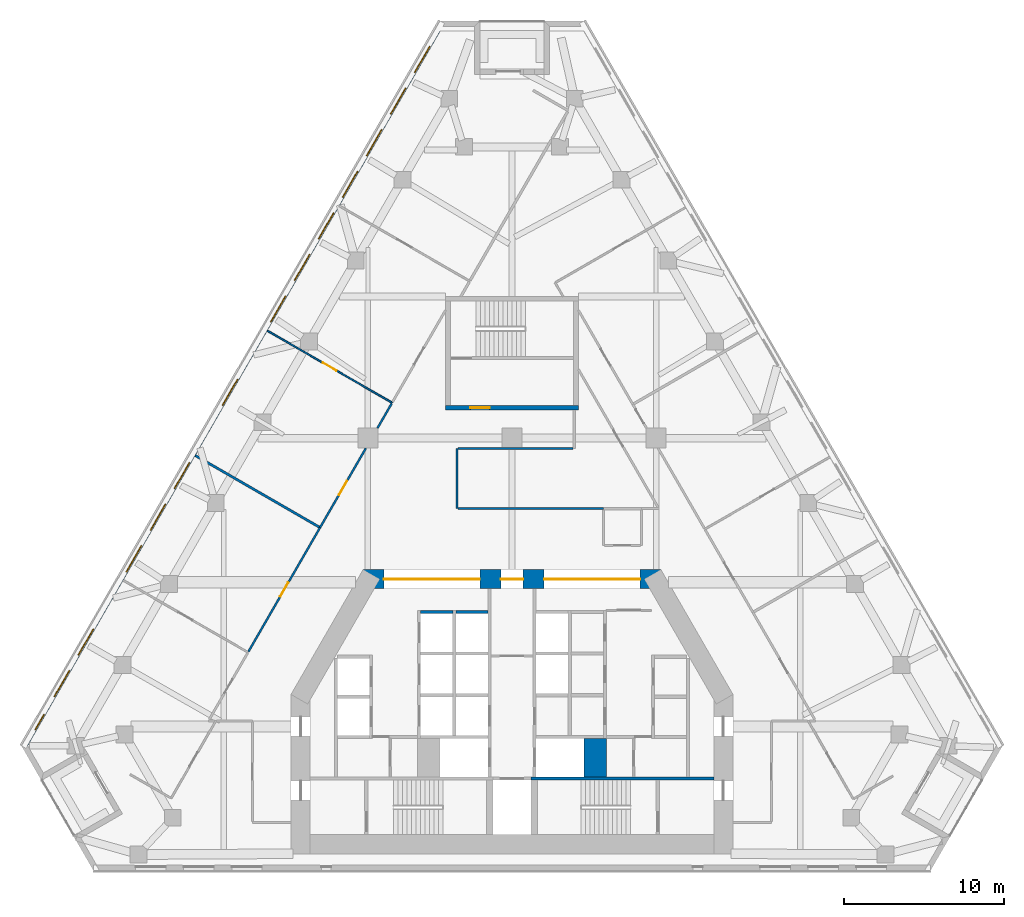
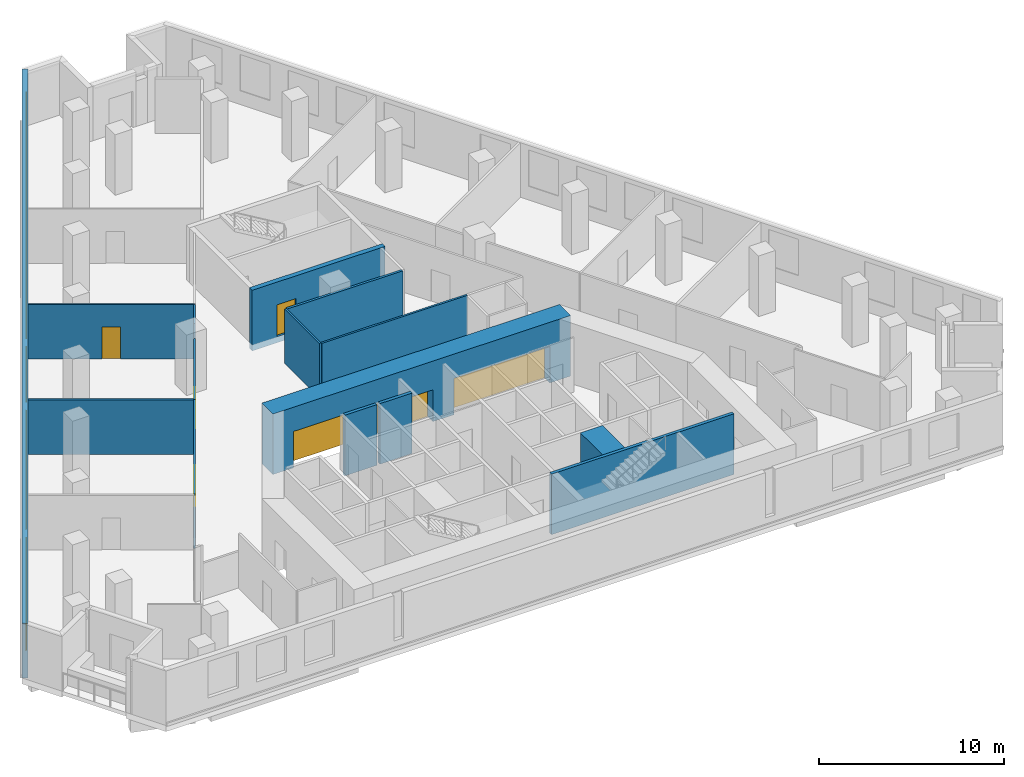
# One storey, part 5 of 9: 15 walls, 14 windows, 7 doors, 21 openings.
"""IFC4 building model written with IfcOpenShell, lengths in metres."""

from ifc_helpers import new_model, si_unit, direction, frame, frame_2d, origin, place, context, subcontext, project, spatial, rectangle, extrude, material, layer, layer_set, type_object, element, fill, save


model = new_model("IFC4")

# Units and contexts
model_context = context("Model", 3, precision=1e-05, world=origin(), true_north=direction((0.0, 1.0)))
body_context = subcontext(model_context, "Body", "Model", "MODEL_VIEW")
ifc_project = project(units=[si_unit("LENGTHUNIT", "METRE"), si_unit("AREAUNIT", "SQUARE_METRE"), si_unit("VOLUMEUNIT", "CUBIC_METRE"), si_unit("PLANEANGLEUNIT", "RADIAN"), si_unit("MASSUNIT", "GRAM", prefix="KILO")], contexts=[model_context])

# Site, building, storey
site_placement = place(None, origin())
site = spatial("IfcSite", under=ifc_project, at=site_placement, CompositionType="ELEMENT")
building_placement = place(site_placement, origin())
building = spatial("IfcBuilding", under=site, at=building_placement, Name="Fogline Exchange Tower", CompositionType="ELEMENT")
storey_placement = place(building_placement, frame((0.0, 0.0, 104.10009765625)))
storey = spatial("IfcBuildingStorey", under=building, at=storey_placement, Name="L22", CompositionType="ELEMENT", Elevation=104.10009765625)

# Walls
ifc_material_1 = material(Name="Concrete C60", Category="concrete")
ifc_layer_1 = layer(ifc_material_1, 1.39990234375)
ifc_layer_set_1 = layer_set([ifc_layer_1], Name="CW140")
wall_type_1 = type_object("IfcWallType", Name="CW140", PredefinedType="SOLIDWALL", material=ifc_layer_set_1)
wall_1_placement = place(storey_placement, frame((5.199951171875, 5.85009765625, -0.400146484375), z_axis=(0.0, 0.0, 1.0), x_axis=(0.0, 1.0, 0.0)))
element("IfcWall", 1, at=wall_1_placement, inside=storey, type_object=wall_type_1, Name="Lift shaft block wall", PredefinedType="SOLIDWALL", context=body_context, shape_type="SweptSolid", body=[
    extrude(rectangle(XDim=2.39990234375, YDim=1.39990234375, at=frame_2d((1.199951171875, 0.0))), origin(), (0.0, 0.0, 1.0), 4.0),
])
ifc_material_2 = material(Name="Concrete C40", Category="concrete")
ifc_layer_2 = layer(ifc_material_2, 0.199951171875)
ifc_layer_set_2 = layer_set([ifc_layer_2], Name="CW20R")
wall_type_2 = type_object("IfcWallType", Name="CW20R", PredefinedType="SOLIDWALL", material=ifc_layer_set_2)
wall_2_placement = place(storey_placement, frame((1.199951171875, 5.75, -0.400146484375), z_axis=(0.0, 0.0, 1.0), x_axis=(1.0, 0.0, 0.0)))
element("IfcWall", 2, at=wall_2_placement, inside=storey, type_object=wall_type_2, Name="Stair enclosure wall", PredefinedType="SOLIDWALL", context=body_context, shape_type="SweptSolid", body=[
    extrude(rectangle(XDim=11.400146484375, YDim=0.199951171875, at=frame_2d((5.7001953125, 0.0))), origin(), (0.0, 0.0, 1.0), 4.0),
])
ifc_layer_3 = layer(ifc_material_2, 0.199951171875)
ifc_layer_set_3 = layer_set([ifc_layer_3], Name="CW20S")
wall_type_3 = type_object("IfcWallType", Name="CW20S", PredefinedType="SOLIDWALL", material=ifc_layer_set_3)
for number, where, z_axis, x_axis, name in (
    (3, (-5.699951171875, 16.14990234375, -0.400146484375), (0.0, 0.0, 1.0), (1.0, 0.0, 0.0), "Lift shaft wall"),
    (4, (-3.5, 16.14990234375, -0.400146484375), (0.0, 0.0, 1.0), (1.0, 0.0, 0.0), "Lift shaft wall"),
):
    element("IfcWall", number, at=place(storey_placement, frame(where, z_axis=z_axis, x_axis=x_axis)), inside=storey, type_object=wall_type_3, Name=name, PredefinedType="SOLIDWALL", context=body_context, shape_type="SweptSolid", body=[
        extrude(rectangle(XDim=2.0, YDim=0.199951171875, at=frame_2d((1.0, 0.0))), origin(), (0.0, 0.0, 1.0), 4.0),
    ])

# Wall, opening, door
ifc_layer_4 = layer(ifc_material_2, 0.300048828125)
ifc_layer_set_4 = layer_set([ifc_layer_4], Name="CW30")
wall_type_4 = type_object("IfcWallType", Name="CW30", PredefinedType="SOLIDWALL", material=ifc_layer_set_4)
wall_3_placement = place(storey_placement, frame((-4.14990234375, 28.906982421875, -0.400146484375), z_axis=(0.0, 0.0, 1.0), x_axis=(1.0, 0.0, 0.0)))
wall_3 = element("IfcWall", 5, at=wall_3_placement, inside=storey, type_object=wall_type_4, Name="Stair enclosure wall ST3", PredefinedType="SOLIDWALL", context=body_context, shape_type="SweptSolid", body=[
    extrude(rectangle(XDim=8.2998046875, YDim=0.300048828125, at=frame_2d((4.14990234375, 0.0))), origin(), (0.0, 0.0, 1.0), 4.0),
])
opening_1_placement = place(wall_3_placement, frame((1.550048828125, 0.0, 0.39990234375)))
opening_1 = element("IfcOpeningElement", 6, at=opening_1_placement, cuts=wall_3, Name="Opening T06-C022", PredefinedType="OPENING", context=body_context, shape_type="SweptSolid", body=[
    extrude(rectangle(XDim=1.199951171875, YDim=2.10009765625, at=frame_2d((0.60009765625, 1.050048828125))), frame((0.0, 0.16015625, 0.0), z_axis=(0.0, -1.0, 0.0), x_axis=(1.0, 0.0, 0.0)), (0.0, 0.0, 1.0), 0.320068359375),
])
ifc_material_3 = material(Name="Steel and timber fire door", Category="steel")
door_type_1 = type_object("IfcDoorType", Name="D-FR1", OperationType="SINGLE_SWING_RIGHT", PredefinedType="DOOR", material=ifc_material_3)
door_1_placement = place(opening_1_placement, origin())
door_1 = element("IfcDoor", 7, at=door_1_placement, inside=storey, type_object=door_type_1, Name="Front room door ST3", OperationType="SINGLE_SWING_LEFT", OverallHeight=2.10009765625, OverallWidth=1.199951171875, PredefinedType="DOOR", context=body_context, shape_type="SweptSolid", body=[
    extrude(rectangle(XDim=1.199951171875, YDim=2.10009765625, at=frame_2d((0.60009765625, 1.050048828125))), frame((0.0, 0.02490234375, 0.0), z_axis=(0.0, -1.0, 0.0), x_axis=(1.0, 0.0, 0.0)), (0.0, 0.0, 1.0), 0.050048828125),
])
fill(opening_1, door_1)

# Wall, openings, windows
ifc_material_4 = material(Name="Brick masonry", Category="masonry")
ifc_layer_5 = layer(ifc_material_4, 0.340087890625)
ifc_layer_set_5 = layer_set([ifc_layer_5], Name="FW1")
wall_type_5 = type_object("IfcWallType", Name="FW1", PredefinedType="SOLIDWALL", material=ifc_layer_set_5)
wall_4_placement = place(storey_placement, frame((-4.352783203125, 52.981689453125, 0.0), z_axis=(0.0, 0.0, 1.0), x_axis=(-0.499998162791, -0.866026464495, 0.0)))
wall_4 = element("IfcWall", 8, at=wall_4_placement, inside=storey, type_object=wall_type_5, Name="Brick wall L22 W", PredefinedType="SOLIDWALL", context=body_context, shape_type="SweptSolid", body=[
    extrude(rectangle(XDim=52.276123046875, YDim=0.340087890625, at=frame_2d((26.13818359375, 0.0))), origin(), (0.0, 0.0, 1.0), 3.599853515625),
])
opening_2_placement = place(wall_4_placement, frame((1.70703125, 0.0, 0.89990234375)))
opening_2 = element("IfcOpeningElement", 9, at=opening_2_placement, cuts=wall_4, Name="Opening W1", PredefinedType="OPENING", context=body_context, shape_type="SweptSolid", body=[
    extrude(rectangle(XDim=1.885009765625, YDim=2.39990234375, at=frame_2d((0.9423828125, 1.199951171875))), frame((0.0, 0.18017578125, 0.0), z_axis=(0.0, -1.0, 0.0), x_axis=(1.0, 0.0, 0.0)), (0.0, 0.0, 1.0), 0.360107421875),
])
opening_3_placement = place(wall_4_placement, frame((4.70703125, 0.0, 0.89990234375)))
opening_3 = element("IfcOpeningElement", 10, at=opening_3_placement, cuts=wall_4, Name="Opening W1", PredefinedType="OPENING", context=body_context, shape_type="SweptSolid", body=[
    extrude(rectangle(XDim=1.885009765625, YDim=2.39990234375, at=frame_2d((0.9423828125, 1.199951171875))), frame((0.0, 0.18017578125, 0.0), z_axis=(0.0, -1.0, 0.0), x_axis=(1.0, 0.0, 0.0)), (0.0, 0.0, 1.0), 0.360107421875),
])
opening_4_placement = place(wall_4_placement, frame((7.70703125, 0.0, 0.89990234375)))
opening_4 = element("IfcOpeningElement", 11, at=opening_4_placement, cuts=wall_4, Name="Opening W1", PredefinedType="OPENING", context=body_context, shape_type="SweptSolid", body=[
    extrude(rectangle(XDim=1.885009765625, YDim=2.39990234375, at=frame_2d((0.9423828125, 1.199951171875))), frame((0.0, 0.18017578125, 0.0), z_axis=(0.0, -1.0, 0.0), x_axis=(1.0, 0.0, 0.0)), (0.0, 0.0, 1.0), 0.360107421875),
])
opening_5_placement = place(wall_4_placement, frame((10.70703125, 0.0, 0.89990234375)))
opening_5 = element("IfcOpeningElement", 12, at=opening_5_placement, cuts=wall_4, Name="Opening W1", PredefinedType="OPENING", context=body_context, shape_type="SweptSolid", body=[
    extrude(rectangle(XDim=1.885009765625, YDim=2.39990234375, at=frame_2d((0.9423828125, 1.199951171875))), frame((0.0, 0.18017578125, 0.0), z_axis=(0.0, -1.0, 0.0), x_axis=(1.0, 0.0, 0.0)), (0.0, 0.0, 1.0), 0.360107421875),
])
opening_6_placement = place(wall_4_placement, frame((13.70703125, 0.0, 0.89990234375)))
opening_6 = element("IfcOpeningElement", 13, at=opening_6_placement, cuts=wall_4, Name="Opening W1", PredefinedType="OPENING", context=body_context, shape_type="SweptSolid", body=[
    extrude(rectangle(XDim=1.885009765625, YDim=2.39990234375, at=frame_2d((0.9423828125, 1.199951171875))), frame((0.0, 0.18017578125, 0.0), z_axis=(0.0, -1.0, 0.0), x_axis=(1.0, 0.0, 0.0)), (0.0, 0.0, 1.0), 0.360107421875),
])
opening_7_placement = place(wall_4_placement, frame((16.70703125, 0.0, 0.89990234375)))
opening_7 = element("IfcOpeningElement", 14, at=opening_7_placement, cuts=wall_4, Name="Opening W1", PredefinedType="OPENING", context=body_context, shape_type="SweptSolid", body=[
    extrude(rectangle(XDim=1.885009765625, YDim=2.39990234375, at=frame_2d((0.9423828125, 1.199951171875))), frame((0.0, 0.18017578125, 0.0), z_axis=(0.0, -1.0, 0.0), x_axis=(1.0, 0.0, 0.0)), (0.0, 0.0, 1.0), 0.360107421875),
])
opening_8_placement = place(wall_4_placement, frame((19.70703125, 0.0, 0.89990234375)))
opening_8 = element("IfcOpeningElement", 15, at=opening_8_placement, cuts=wall_4, Name="Opening W1", PredefinedType="OPENING", context=body_context, shape_type="SweptSolid", body=[
    extrude(rectangle(XDim=1.885009765625, YDim=2.39990234375, at=frame_2d((0.9423828125, 1.199951171875))), frame((0.0, 0.18017578125, 0.0), z_axis=(0.0, -1.0, 0.0), x_axis=(1.0, 0.0, 0.0)), (0.0, 0.0, 1.0), 0.360107421875),
])
opening_9_placement = place(wall_4_placement, frame((25.70703125, 0.0, 0.89990234375)))
opening_9 = element("IfcOpeningElement", 16, at=opening_9_placement, cuts=wall_4, Name="Opening W1", PredefinedType="OPENING", context=body_context, shape_type="SweptSolid", body=[
    extrude(rectangle(XDim=1.885009765625, YDim=2.39990234375, at=frame_2d((0.9423828125, 1.199951171875))), frame((0.0, 0.18017578125, 0.0), z_axis=(0.0, -1.0, 0.0), x_axis=(1.0, 0.0, 0.0)), (0.0, 0.0, 1.0), 0.360107421875),
])
opening_10_placement = place(wall_4_placement, frame((31.70703125, 0.0, 0.89990234375)))
opening_10 = element("IfcOpeningElement", 17, at=opening_10_placement, cuts=wall_4, Name="Opening W1", PredefinedType="OPENING", context=body_context, shape_type="SweptSolid", body=[
    extrude(rectangle(XDim=1.885009765625, YDim=2.39990234375, at=frame_2d((0.9423828125, 1.199951171875))), frame((0.0, 0.18017578125, 0.0), z_axis=(0.0, -1.0, 0.0), x_axis=(1.0, 0.0, 0.0)), (0.0, 0.0, 1.0), 0.360107421875),
])
opening_11_placement = place(wall_4_placement, frame((34.70703125, 0.0, 0.89990234375)))
opening_11 = element("IfcOpeningElement", 18, at=opening_11_placement, cuts=wall_4, Name="Opening W1", PredefinedType="OPENING", context=body_context, shape_type="SweptSolid", body=[
    extrude(rectangle(XDim=1.885009765625, YDim=2.39990234375, at=frame_2d((0.9423828125, 1.199951171875))), frame((0.0, 0.18017578125, 0.0), z_axis=(0.0, -1.0, 0.0), x_axis=(1.0, 0.0, 0.0)), (0.0, 0.0, 1.0), 0.360107421875),
])
opening_12_placement = place(wall_4_placement, frame((37.70703125, 0.0, 0.89990234375)))
opening_12 = element("IfcOpeningElement", 19, at=opening_12_placement, cuts=wall_4, Name="Opening W1", PredefinedType="OPENING", context=body_context, shape_type="SweptSolid", body=[
    extrude(rectangle(XDim=1.885009765625, YDim=2.39990234375, at=frame_2d((0.9423828125, 1.199951171875))), frame((0.0, 0.18017578125, 0.0), z_axis=(0.0, -1.0, 0.0), x_axis=(1.0, 0.0, 0.0)), (0.0, 0.0, 1.0), 0.360107421875),
])
opening_13_placement = place(wall_4_placement, frame((43.70703125, 0.0, 0.89990234375)))
opening_13 = element("IfcOpeningElement", 20, at=opening_13_placement, cuts=wall_4, Name="Opening W1", PredefinedType="OPENING", context=body_context, shape_type="SweptSolid", body=[
    extrude(rectangle(XDim=1.885009765625, YDim=2.39990234375, at=frame_2d((0.9423828125, 1.199951171875))), frame((0.0, 0.18017578125, 0.0), z_axis=(0.0, -1.0, 0.0), x_axis=(1.0, 0.0, 0.0)), (0.0, 0.0, 1.0), 0.360107421875),
])
opening_14_placement = place(wall_4_placement, frame((46.70703125, 0.0, 0.89990234375)))
opening_14 = element("IfcOpeningElement", 21, at=opening_14_placement, cuts=wall_4, Name="Opening W1", PredefinedType="OPENING", context=body_context, shape_type="SweptSolid", body=[
    extrude(rectangle(XDim=1.885009765625, YDim=2.39990234375, at=frame_2d((0.9423828125, 1.199951171875))), frame((0.0, 0.18017578125, 0.0), z_axis=(0.0, -1.0, 0.0), x_axis=(1.0, 0.0, 0.0)), (0.0, 0.0, 1.0), 0.360107421875),
])
opening_15_placement = place(wall_4_placement, frame((49.87646484375, 0.0, 0.89990234375)))
opening_15 = element("IfcOpeningElement", 22, at=opening_15_placement, cuts=wall_4, Name="Opening W4", PredefinedType="OPENING", context=body_context, shape_type="SweptSolid", body=[
    extrude(rectangle(XDim=1.114990234375, YDim=2.39990234375, at=frame_2d((0.5576171875, 1.199951171875))), frame((0.0, 0.18017578125, 0.0), z_axis=(0.0, -1.0, 0.0), x_axis=(1.0, 0.0, 0.0)), (0.0, 0.0, 1.0), 0.360107421875),
])
ifc_material_5 = material(Name="Aluminium and glass", Category="aluminium")
window_type_1 = type_object("IfcWindowType", Name="W1", PartitioningType="SINGLE_PANEL", PredefinedType="WINDOW", material=ifc_material_5)
window_1_placement = place(opening_2_placement, origin())
window_1 = element("IfcWindow", 23, at=window_1_placement, inside=storey, type_object=window_type_1, Name="W1 W1", OverallHeight=2.39990234375, OverallWidth=1.885009765625, PartitioningType="SINGLE_PANEL", PredefinedType="WINDOW", context=body_context, shape_type="SweptSolid", body=[
    extrude(rectangle(XDim=1.885009765625, YDim=2.39990234375, at=frame_2d((0.9423828125, 1.199951171875))), frame((0.0, 0.110107421875, 0.0), z_axis=(0.0, -1.0, 0.0), x_axis=(1.0, 0.0, 0.0)), (0.0, 0.0, 1.0), 0.06005859375),
])
fill(opening_2, window_1)
window_2_placement = place(opening_3_placement, origin())
window_2 = element("IfcWindow", 24, at=window_2_placement, inside=storey, type_object=window_type_1, Name="W1 W1", OverallHeight=2.39990234375, OverallWidth=1.885009765625, PartitioningType="SINGLE_PANEL", PredefinedType="WINDOW", context=body_context, shape_type="SweptSolid", body=[
    extrude(rectangle(XDim=1.885009765625, YDim=2.39990234375, at=frame_2d((0.9423828125, 1.199951171875))), frame((0.0, 0.110107421875, 0.0), z_axis=(0.0, -1.0, 0.0), x_axis=(1.0, 0.0, 0.0)), (0.0, 0.0, 1.0), 0.06005859375),
])
fill(opening_3, window_2)
window_3_placement = place(opening_4_placement, origin())
window_3 = element("IfcWindow", 25, at=window_3_placement, inside=storey, type_object=window_type_1, Name="W1 W1", OverallHeight=2.39990234375, OverallWidth=1.885009765625, PartitioningType="SINGLE_PANEL", PredefinedType="WINDOW", context=body_context, shape_type="SweptSolid", body=[
    extrude(rectangle(XDim=1.885009765625, YDim=2.39990234375, at=frame_2d((0.9423828125, 1.199951171875))), frame((0.0, 0.110107421875, 0.0), z_axis=(0.0, -1.0, 0.0), x_axis=(1.0, 0.0, 0.0)), (0.0, 0.0, 1.0), 0.06005859375),
])
fill(opening_4, window_3)
window_4_placement = place(opening_5_placement, origin())
window_4 = element("IfcWindow", 26, at=window_4_placement, inside=storey, type_object=window_type_1, Name="W1 W1", OverallHeight=2.39990234375, OverallWidth=1.885009765625, PartitioningType="SINGLE_PANEL", PredefinedType="WINDOW", context=body_context, shape_type="SweptSolid", body=[
    extrude(rectangle(XDim=1.885009765625, YDim=2.39990234375, at=frame_2d((0.9423828125, 1.199951171875))), frame((0.0, 0.110107421875, 0.0), z_axis=(0.0, -1.0, 0.0), x_axis=(1.0, 0.0, 0.0)), (0.0, 0.0, 1.0), 0.06005859375),
])
fill(opening_5, window_4)
window_5_placement = place(opening_6_placement, origin())
window_5 = element("IfcWindow", 27, at=window_5_placement, inside=storey, type_object=window_type_1, Name="W1 W1", OverallHeight=2.39990234375, OverallWidth=1.885009765625, PartitioningType="SINGLE_PANEL", PredefinedType="WINDOW", context=body_context, shape_type="SweptSolid", body=[
    extrude(rectangle(XDim=1.885009765625, YDim=2.39990234375, at=frame_2d((0.9423828125, 1.199951171875))), frame((0.0, 0.110107421875, 0.0), z_axis=(0.0, -1.0, 0.0), x_axis=(1.0, 0.0, 0.0)), (0.0, 0.0, 1.0), 0.06005859375),
])
fill(opening_6, window_5)
window_6_placement = place(opening_7_placement, origin())
window_6 = element("IfcWindow", 28, at=window_6_placement, inside=storey, type_object=window_type_1, Name="W1 W1", OverallHeight=2.39990234375, OverallWidth=1.885009765625, PartitioningType="SINGLE_PANEL", PredefinedType="WINDOW", context=body_context, shape_type="SweptSolid", body=[
    extrude(rectangle(XDim=1.885009765625, YDim=2.39990234375, at=frame_2d((0.9423828125, 1.199951171875))), frame((0.0, 0.110107421875, 0.0), z_axis=(0.0, -1.0, 0.0), x_axis=(1.0, 0.0, 0.0)), (0.0, 0.0, 1.0), 0.06005859375),
])
fill(opening_7, window_6)
window_7_placement = place(opening_8_placement, origin())
window_7 = element("IfcWindow", 29, at=window_7_placement, inside=storey, type_object=window_type_1, Name="W1 W1", OverallHeight=2.39990234375, OverallWidth=1.885009765625, PartitioningType="SINGLE_PANEL", PredefinedType="WINDOW", context=body_context, shape_type="SweptSolid", body=[
    extrude(rectangle(XDim=1.885009765625, YDim=2.39990234375, at=frame_2d((0.9423828125, 1.199951171875))), frame((0.0, 0.110107421875, 0.0), z_axis=(0.0, -1.0, 0.0), x_axis=(1.0, 0.0, 0.0)), (0.0, 0.0, 1.0), 0.06005859375),
])
fill(opening_8, window_7)
window_8_placement = place(opening_9_placement, origin())
window_8 = element("IfcWindow", 30, at=window_8_placement, inside=storey, type_object=window_type_1, Name="W1 W1", OverallHeight=2.39990234375, OverallWidth=1.885009765625, PartitioningType="SINGLE_PANEL", PredefinedType="WINDOW", context=body_context, shape_type="SweptSolid", body=[
    extrude(rectangle(XDim=1.885009765625, YDim=2.39990234375, at=frame_2d((0.9423828125, 1.199951171875))), frame((0.0, 0.110107421875, 0.0), z_axis=(0.0, -1.0, 0.0), x_axis=(1.0, 0.0, 0.0)), (0.0, 0.0, 1.0), 0.06005859375),
])
fill(opening_9, window_8)
window_9_placement = place(opening_10_placement, origin())
window_9 = element("IfcWindow", 31, at=window_9_placement, inside=storey, type_object=window_type_1, Name="W1 W1", OverallHeight=2.39990234375, OverallWidth=1.885009765625, PartitioningType="SINGLE_PANEL", PredefinedType="WINDOW", context=body_context, shape_type="SweptSolid", body=[
    extrude(rectangle(XDim=1.885009765625, YDim=2.39990234375, at=frame_2d((0.9423828125, 1.199951171875))), frame((0.0, 0.110107421875, 0.0), z_axis=(0.0, -1.0, 0.0), x_axis=(1.0, 0.0, 0.0)), (0.0, 0.0, 1.0), 0.06005859375),
])
fill(opening_10, window_9)
window_10_placement = place(opening_11_placement, origin())
window_10 = element("IfcWindow", 32, at=window_10_placement, inside=storey, type_object=window_type_1, Name="W1 W1", OverallHeight=2.39990234375, OverallWidth=1.885009765625, PartitioningType="SINGLE_PANEL", PredefinedType="WINDOW", context=body_context, shape_type="SweptSolid", body=[
    extrude(rectangle(XDim=1.885009765625, YDim=2.39990234375, at=frame_2d((0.9423828125, 1.199951171875))), frame((0.0, 0.110107421875, 0.0), z_axis=(0.0, -1.0, 0.0), x_axis=(1.0, 0.0, 0.0)), (0.0, 0.0, 1.0), 0.06005859375),
])
fill(opening_11, window_10)
window_11_placement = place(opening_12_placement, origin())
window_11 = element("IfcWindow", 33, at=window_11_placement, inside=storey, type_object=window_type_1, Name="W1 W1", OverallHeight=2.39990234375, OverallWidth=1.885009765625, PartitioningType="SINGLE_PANEL", PredefinedType="WINDOW", context=body_context, shape_type="SweptSolid", body=[
    extrude(rectangle(XDim=1.885009765625, YDim=2.39990234375, at=frame_2d((0.9423828125, 1.199951171875))), frame((0.0, 0.110107421875, 0.0), z_axis=(0.0, -1.0, 0.0), x_axis=(1.0, 0.0, 0.0)), (0.0, 0.0, 1.0), 0.06005859375),
])
fill(opening_12, window_11)
window_12_placement = place(opening_13_placement, origin())
window_12 = element("IfcWindow", 34, at=window_12_placement, inside=storey, type_object=window_type_1, Name="W1 W1", OverallHeight=2.39990234375, OverallWidth=1.885009765625, PartitioningType="SINGLE_PANEL", PredefinedType="WINDOW", context=body_context, shape_type="SweptSolid", body=[
    extrude(rectangle(XDim=1.885009765625, YDim=2.39990234375, at=frame_2d((0.9423828125, 1.199951171875))), frame((0.0, 0.110107421875, 0.0), z_axis=(0.0, -1.0, 0.0), x_axis=(1.0, 0.0, 0.0)), (0.0, 0.0, 1.0), 0.06005859375),
])
fill(opening_13, window_12)
window_13_placement = place(opening_14_placement, origin())
window_13 = element("IfcWindow", 35, at=window_13_placement, inside=storey, type_object=window_type_1, Name="W1 W1", OverallHeight=2.39990234375, OverallWidth=1.885009765625, PartitioningType="SINGLE_PANEL", PredefinedType="WINDOW", context=body_context, shape_type="SweptSolid", body=[
    extrude(rectangle(XDim=1.885009765625, YDim=2.39990234375, at=frame_2d((0.9423828125, 1.199951171875))), frame((0.0, 0.110107421875, 0.0), z_axis=(0.0, -1.0, 0.0), x_axis=(1.0, 0.0, 0.0)), (0.0, 0.0, 1.0), 0.06005859375),
])
fill(opening_14, window_13)
window_type_2 = type_object("IfcWindowType", Name="W4", PartitioningType="SINGLE_PANEL", PredefinedType="WINDOW", material=ifc_material_5)
window_14_placement = place(opening_15_placement, origin())
window_14 = element("IfcWindow", 36, at=window_14_placement, inside=storey, type_object=window_type_2, Name="W4 W4", OverallHeight=2.39990234375, OverallWidth=1.114990234375, PartitioningType="SINGLE_PANEL", PredefinedType="WINDOW", context=body_context, shape_type="SweptSolid", body=[
    extrude(rectangle(XDim=1.114990234375, YDim=2.39990234375, at=frame_2d((0.5576171875, 1.199951171875))), frame((0.0, 0.110107421875, 0.0), z_axis=(0.0, -1.0, 0.0), x_axis=(1.0, 0.0, 0.0)), (0.0, 0.0, 1.0), 0.06005859375),
])
fill(opening_15, window_14)

# Wall, opening, door
ifc_material_6 = material(Name="Plasterboard partition, 2 layers each side on steel studs", Category="steel")
ifc_layer_6 = layer(ifc_material_6, 0.10009765625)
ifc_layer_set_6 = layer_set([ifc_layer_6], Name="PW1")
wall_type_6 = type_object("IfcWallType", Name="PW1", PredefinedType="PARTITIONING", material=ifc_layer_set_6)
wall_5_placement = place(storey_placement, frame((-7.486083984375, 29.214599609375, 0.0), z_axis=(0.0, 0.0, 1.0), x_axis=(-0.866024315419, 0.5000018851, 0.0)))
wall_5 = element("IfcWall", 37, at=wall_5_placement, inside=storey, type_object=wall_type_6, Name="wall-L22-W039", PredefinedType="PARTITIONING", context=body_context, shape_type="SweptSolid", body=[
    extrude(rectangle(XDim=9.0, YDim=0.10009765625, at=frame_2d((4.5, 0.0))), origin(), (0.0, 0.0, 1.0), 3.599853515625),
])
opening_16_placement = place(wall_5_placement, frame((4.0, 0.0, 0.0)))
opening_16 = element("IfcOpeningElement", 38, at=opening_16_placement, cuts=wall_5, Name="Opening T06-D016", PredefinedType="OPENING", context=body_context, shape_type="SweptSolid", body=[
    extrude(rectangle(XDim=1.0, YDim=2.10009765625, at=frame_2d((0.5, 1.050048828125))), frame((0.0, 0.06005859375, 0.0), z_axis=(0.0, -1.0, 0.0), x_axis=(1.0, 0.0, 0.0)), (0.0, 0.0, 1.0), 0.1201171875),
])
ifc_material_7 = material(Name="Timber door leaf with steel frame", Category="steel")
door_type_2 = type_object("IfcDoorType", Name="D1", OperationType="SINGLE_SWING_LEFT", PredefinedType="DOOR", material=ifc_material_7)
door_2_placement = place(opening_16_placement, origin())
door_2 = element("IfcDoor", 39, at=door_2_placement, inside=storey, type_object=door_type_2, Name="door-L22-D016", OperationType="SINGLE_SWING_LEFT", OverallHeight=2.10009765625, OverallWidth=1.0, PredefinedType="DOOR", context=body_context, shape_type="SweptSolid", body=[
    extrude(rectangle(XDim=1.0, YDim=2.10009765625, at=frame_2d((0.5, 1.050048828125))), frame((0.0, 0.02490234375, 0.0), z_axis=(0.0, -1.0, 0.0), x_axis=(1.0, 0.0, 0.0)), (0.0, 0.0, 1.0), 0.050048828125),
])
fill(opening_16, door_2)

# Wall
ifc_material_8 = material(Name="Plasterboard corridor partition with mineral wool, 2 layers each side")
ifc_layer_7 = layer(ifc_material_8, 0.125)
ifc_layer_set_7 = layer_set([ifc_layer_7], Name="PW2")
wall_type_7 = type_object("IfcWallType", Name="PW2", PredefinedType="PARTITIONING", material=ifc_layer_set_7)
wall_6_placement = place(storey_placement, frame((-3.387451171875, 22.60009765625, 0.0), z_axis=(0.0, 0.0, 1.0), x_axis=(1.0, 0.0, 0.0)))
element("IfcWall", 40, at=wall_6_placement, inside=storey, type_object=wall_type_7, Name="wall-L22-W006", PredefinedType="PARTITIONING", context=body_context, shape_type="SweptSolid", body=[
    extrude(rectangle(XDim=9.08740234375, YDim=0.125, at=frame_2d((4.543701171875, 0.0))), origin(), (0.0, 0.0, 1.0), 3.599853515625),
])

# Wall, opening, door
wall_7_placement = place(storey_placement, frame((-11.986083984375, 21.42041015625, 0.0), z_axis=(0.0, 0.0, 1.0), x_axis=(0.500008117708, 0.866020716973, 0.0)))
wall_7 = element("IfcWall", 41, at=wall_7_placement, inside=storey, type_object=wall_type_7, Name="wall-L22-W011", PredefinedType="PARTITIONING", context=body_context, shape_type="SweptSolid", body=[
    extrude(rectangle(XDim=5.72119140625, YDim=0.125, at=frame_2d((2.860595703125, 0.0))), origin(), (0.0, 0.0, 1.0), 3.599853515625),
])
opening_17_placement = place(wall_7_placement, frame((2.360595703125, 0.0, 0.0)))
opening_17 = element("IfcOpeningElement", 42, at=opening_17_placement, cuts=wall_7, Name="Opening T06-D005", PredefinedType="OPENING", context=body_context, shape_type="SweptSolid", body=[
    extrude(rectangle(XDim=1.0, YDim=2.10009765625, at=frame_2d((0.5, 1.050048828125))), frame((0.0, 0.072509765625, 0.0), z_axis=(0.0, -1.0, 0.0), x_axis=(1.0, 0.0, 0.0)), (0.0, 0.0, 1.0), 0.14501953125),
])
ifc_material_9 = material(Name="Fire-rated timber door leaf with steel frame", Category="steel")
door_type_3 = type_object("IfcDoorType", Name="D3", OperationType="SINGLE_SWING_LEFT", PredefinedType="DOOR", material=ifc_material_9)
door_3_placement = place(opening_17_placement, origin())
door_3 = element("IfcDoor", 43, at=door_3_placement, inside=storey, type_object=door_type_3, Name="door-L22-D005", OperationType="SINGLE_SWING_LEFT", OverallHeight=2.10009765625, OverallWidth=1.0, PredefinedType="DOOR", context=body_context, shape_type="SweptSolid", body=[
    extrude(rectangle(XDim=1.0, YDim=2.10009765625, at=frame_2d((0.5, 1.050048828125))), frame((0.0, 0.02490234375, 0.0), z_axis=(0.0, -1.0, 0.0), x_axis=(1.0, 0.0, 0.0)), (0.0, 0.0, 1.0), 0.050048828125),
])
fill(opening_17, door_3)

# Wall
wall_8_placement = place(storey_placement, frame((-8.40380859375, 27.625, 0.0), z_axis=(0.0, 0.0, 1.0), x_axis=(0.500022371132, 0.86601248742, 0.0)))
element("IfcWall", 44, at=wall_8_placement, inside=storey, type_object=wall_type_7, Name="wall-L22-W012", PredefinedType="PARTITIONING", context=body_context, shape_type="SweptSolid", body=[
    extrude(rectangle(XDim=1.78515625, YDim=0.125, at=frame_2d((0.892578125, 0.0))), origin(), (0.0, 0.0, 1.0), 3.599853515625),
])

# Wall, opening, door
wall_9_placement = place(storey_placement, frame((-16.460693359375, 13.669921875, 0.0), z_axis=(0.0, 0.0, 1.0), x_axis=(0.49998850867, 0.866032038205, 0.0)))
wall_9 = element("IfcWall", 45, at=wall_9_placement, inside=storey, type_object=wall_type_7, Name="wall-L22-W013", PredefinedType="PARTITIONING", context=body_context, shape_type="SweptSolid", body=[
    extrude(rectangle(XDim=8.949462890625, YDim=0.125, at=frame_2d((4.474609375, 0.0))), origin(), (0.0, 0.0, 1.0), 3.599853515625),
])
opening_18_placement = place(wall_9_placement, frame((3.974609375, 0.0, 0.0)))
opening_18 = element("IfcOpeningElement", 46, at=opening_18_placement, cuts=wall_9, Name="Opening T06-D006", PredefinedType="OPENING", context=body_context, shape_type="SweptSolid", body=[
    extrude(rectangle(XDim=1.0, YDim=2.10009765625, at=frame_2d((0.5, 1.050048828125))), frame((0.0, 0.072509765625, 0.0), z_axis=(0.0, -1.0, 0.0), x_axis=(1.0, 0.0, 0.0)), (0.0, 0.0, 1.0), 0.14501953125),
])
door_4_placement = place(opening_18_placement, origin())
door_4 = element("IfcDoor", 47, at=door_4_placement, inside=storey, type_object=door_type_3, Name="door-L22-D006", OperationType="SINGLE_SWING_RIGHT", OverallHeight=2.10009765625, OverallWidth=1.0, PredefinedType="DOOR", context=body_context, shape_type="SweptSolid", body=[
    extrude(rectangle(XDim=1.0, YDim=2.10009765625, at=frame_2d((0.5, 1.050048828125))), frame((0.0, 0.02490234375, 0.0), z_axis=(0.0, -1.0, 0.0), x_axis=(1.0, 0.0, 0.0)), (0.0, 0.0, 1.0), 0.050048828125),
])
fill(opening_18, door_4)

# Walls
wall_10_placement = place(storey_placement, frame((-3.449951171875, 26.35693359375, 0.0), z_axis=(0.0, 0.0, 1.0), x_axis=(0.0, -1.0, 0.0)))
element("IfcWall", 48, at=wall_10_placement, inside=storey, type_object=wall_type_7, Name="wall-L22-W027", PredefinedType="PARTITIONING", context=body_context, shape_type="SweptSolid", body=[
    extrude(rectangle(XDim=3.7568359375, YDim=0.125, at=frame_2d((1.87841796875, 0.0))), origin(), (0.0, 0.0, 1.0), 3.599853515625),
])
ifc_material_10 = material(Name="Plasterboard demising partition with mineral wool and acoustic board")
ifc_layer_8 = layer(ifc_material_10, 0.14990234375)
ifc_layer_set_8 = layer_set([ifc_layer_8], Name="PW3")
wall_type_8 = type_object("IfcWallType", Name="PW3", PredefinedType="PARTITIONING", material=ifc_layer_set_8)
wall_11_placement = place(storey_placement, frame((-12.040283203125, 21.45166015625, 0.0), z_axis=(0.0, 0.0, 1.0), x_axis=(-0.866022276127, 0.500005417223, 0.0)))
element("IfcWall", 49, at=wall_11_placement, inside=storey, type_object=wall_type_8, Name="wall-L22-W040", PredefinedType="PARTITIONING", context=body_context, shape_type="SweptSolid", body=[
    extrude(rectangle(XDim=8.9375, YDim=0.14990234375, at=frame_2d((4.46875, 0.0))), origin(), (0.0, 0.0, 1.0), 3.599853515625),
])
ifc_material_11 = material(Name="Plasterboard stair lobby partition, 3 layers each side on steel studs", Category="steel")
ifc_layer_9 = layer(ifc_material_11, 0.14990234375)
ifc_layer_set_9 = layer_set([ifc_layer_9], Name="PW4")
wall_type_9 = type_object("IfcWallType", Name="PW4", PredefinedType="PARTITIONING", material=ifc_layer_set_9)
wall_12_placement = place(storey_placement, frame((3.824951171875, 26.35693359375, 0.0), z_axis=(0.0, 0.0, 1.0), x_axis=(-1.0, 0.0, 0.0)))
element("IfcWall", 50, at=wall_12_placement, inside=storey, type_object=wall_type_9, Name="wall-L22-W018", PredefinedType="PARTITIONING", context=body_context, shape_type="SweptSolid", body=[
    extrude(rectangle(XDim=7.21240234375, YDim=0.14990234375, at=frame_2d((3.606201171875, 0.0))), origin(), (0.0, 0.0, 1.0), 3.599853515625),
])

# Wall, openings, doors
ifc_layer_10 = layer(ifc_material_1, 1.199951171875)
ifc_layer_set_10 = layer_set([ifc_layer_10], Name="SW02")
wall_type_10 = type_object("IfcWallType", Name="SW02", PredefinedType="SHEAR", material=ifc_layer_set_10)
wall_13_placement = place(storey_placement, frame((9.296142578125, 18.199951171875, 0.0), z_axis=(0.0, 0.0, 1.0), x_axis=(-1.0, 0.0, 0.0)))
wall_13 = element("IfcWall", 51, at=wall_13_placement, inside=storey, type_object=wall_type_10, Name="L22-W904", PredefinedType="SHEAR", context=body_context, shape_type="SweptSolid", body=[
    extrude(rectangle(XDim=18.59228515625, YDim=1.199951171875, at=frame_2d((9.296142578125, 0.0))), origin(), (0.0, 0.0, 1.0), 4.0),
])
opening_19_placement = place(wall_13_placement, frame((8.59619140625, 0.0, 0.0)))
opening_19 = element("IfcOpeningElement", 52, at=opening_19_placement, cuts=wall_13, Name="Opening T06-C019", PredefinedType="OPENING", context=body_context, shape_type="SweptSolid", body=[
    extrude(rectangle(XDim=1.39990234375, YDim=2.10009765625, at=frame_2d((0.699951171875, 1.050048828125))), frame((0.0, 0.60986328125, 0.0), z_axis=(0.0, -1.0, 0.0), x_axis=(1.0, 0.0, 0.0)), (0.0, 0.0, 1.0), 1.219970703125),
])
opening_20_placement = place(wall_13_placement, frame((11.296142578125, 0.0, 0.0)))
opening_20 = element("IfcOpeningElement", 53, at=opening_20_placement, cuts=wall_13, Name="Opening T06-C020", PredefinedType="OPENING", context=body_context, shape_type="SweptSolid", body=[
    extrude(rectangle(XDim=6.0, YDim=2.39990234375, at=frame_2d((3.0, 1.199951171875))), frame((0.0, 0.60986328125, 0.0), z_axis=(0.0, -1.0, 0.0), x_axis=(1.0, 0.0, 0.0)), (0.0, 0.0, 1.0), 1.219970703125),
])
opening_21_placement = place(wall_13_placement, frame((1.296142578125, 0.0, 0.0)))
opening_21 = element("IfcOpeningElement", 54, at=opening_21_placement, cuts=wall_13, Name="Opening T06-C021", PredefinedType="OPENING", context=body_context, shape_type="SweptSolid", body=[
    extrude(rectangle(XDim=6.0, YDim=2.39990234375, at=frame_2d((3.0, 1.199951171875))), frame((0.0, 0.60986328125, 0.0), z_axis=(0.0, -1.0, 0.0), x_axis=(1.0, 0.0, 0.0)), (0.0, 0.0, 1.0), 1.219970703125),
])
door_type_4 = type_object("IfcDoorType", Name="D-LB1", OperationType="DOUBLE_DOOR_SINGLE_SWING", PredefinedType="DOOR", material=ifc_material_3)
door_5_placement = place(opening_19_placement, origin())
door_5 = element("IfcDoor", 55, at=door_5_placement, inside=storey, type_object=door_type_4, Name="Protected lobby door", OperationType="DOUBLE_DOOR_SINGLE_SWING", OverallHeight=2.10009765625, OverallWidth=1.39990234375, PredefinedType="DOOR", context=body_context, shape_type="SweptSolid", body=[
    extrude(rectangle(XDim=1.39990234375, YDim=2.10009765625, at=frame_2d((0.699951171875, 1.050048828125))), frame((0.0, 0.02490234375, 0.0), z_axis=(0.0, -1.0, 0.0), x_axis=(1.0, 0.0, 0.0)), (0.0, 0.0, 1.0), 0.050048828125),
])
fill(opening_19, door_5)
door_type_5 = type_object("IfcDoorType", Name="D-LE1", OperationType="DOUBLE_DOOR_SLIDING", PredefinedType="DOOR", material=ifc_material_3)
door_6_placement = place(opening_20_placement, origin())
door_6 = element("IfcDoor", 56, at=door_6_placement, inside=storey, type_object=door_type_5, Name="Lift lobby entrance west", OperationType="DOUBLE_DOOR_SLIDING", OverallHeight=2.39990234375, OverallWidth=6.0, PredefinedType="DOOR", context=body_context, shape_type="SweptSolid", body=[
    extrude(rectangle(XDim=6.0, YDim=2.39990234375, at=frame_2d((3.0, 1.199951171875))), frame((0.0, 0.02490234375, 0.0), z_axis=(0.0, -1.0, 0.0), x_axis=(1.0, 0.0, 0.0)), (0.0, 0.0, 1.0), 0.050048828125),
])
fill(opening_20, door_6)
door_7_placement = place(opening_21_placement, origin())
door_7 = element("IfcDoor", 57, at=door_7_placement, inside=storey, type_object=door_type_5, Name="Lift lobby entrance east", OperationType="DOUBLE_DOOR_SLIDING", OverallHeight=2.39990234375, OverallWidth=6.0, PredefinedType="DOOR", context=body_context, shape_type="SweptSolid", body=[
    extrude(rectangle(XDim=6.0, YDim=2.39990234375, at=frame_2d((3.0, 1.199951171875))), frame((0.0, 0.02490234375, 0.0), z_axis=(0.0, -1.0, 0.0), x_axis=(1.0, 0.0, 0.0)), (0.0, 0.0, 1.0), 0.050048828125),
])
fill(opening_21, door_7)

save(model, "model.ifc")
